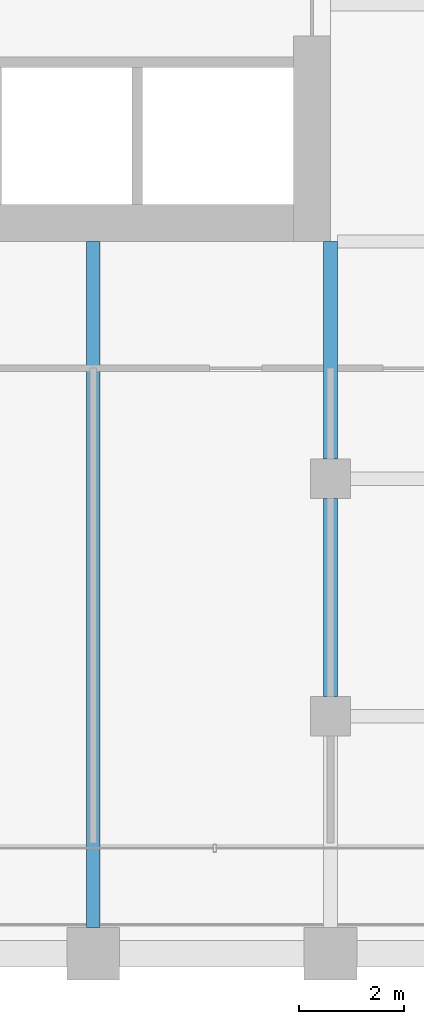
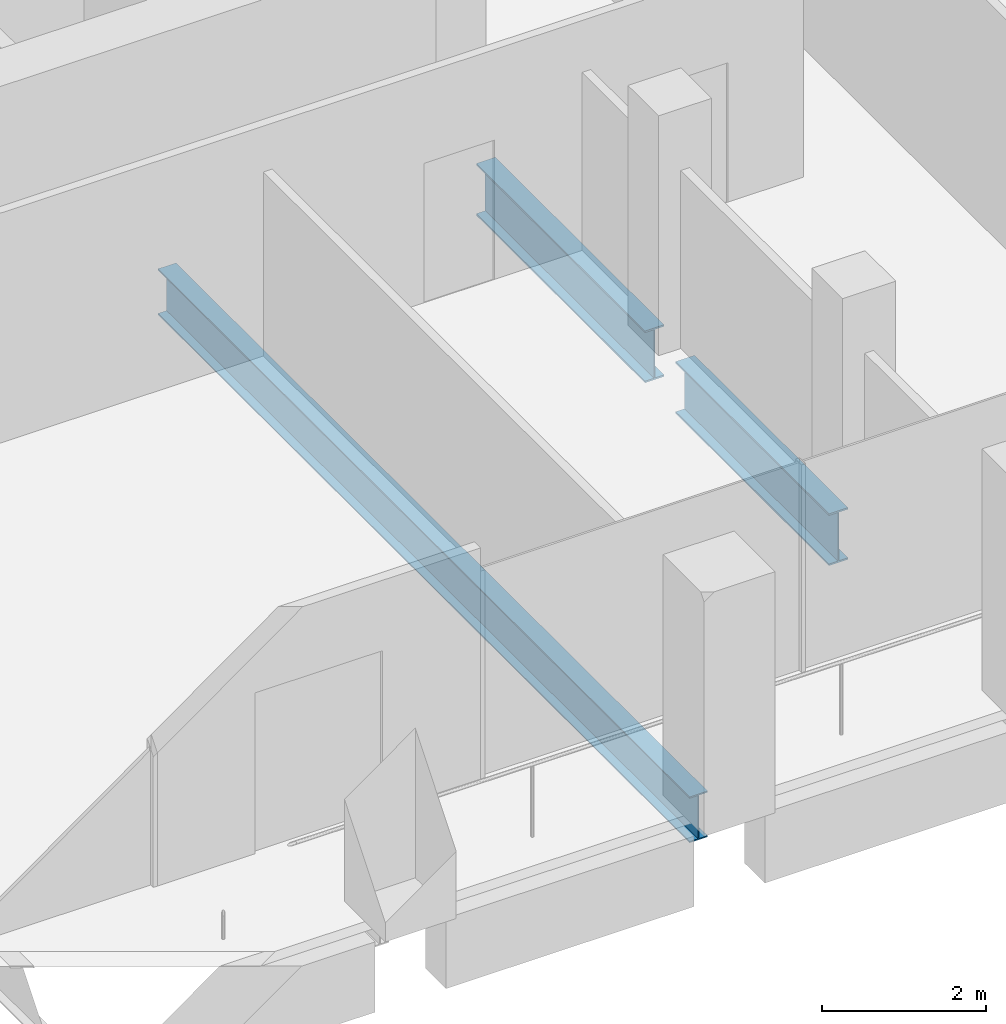
# One storey, part 10 of 46: 3 beams.
"""IFC4 building model written with IfcOpenShell, lengths in metres."""

from ifc_helpers import new_model, si_unit, direction, frame, origin, origin_2d, place, context, subcontext, project, spatial, i_section, extrude, material, material_profile, profile_set, type_object, element, save


model = new_model("IFC4")

# Units and contexts
model_context = context("Model", 3, precision=1e-05, world=origin(), true_north=direction((0.0, 1.0)))
body_context = subcontext(model_context, "Body", "Model", "MODEL_VIEW")
ifc_project = project(units=[si_unit("LENGTHUNIT", "METRE"), si_unit("AREAUNIT", "SQUARE_METRE"), si_unit("VOLUMEUNIT", "CUBIC_METRE"), si_unit("PLANEANGLEUNIT", "RADIAN"), si_unit("MASSUNIT", "GRAM", prefix="KILO")], contexts=[model_context])

# Site, building, storey
site_placement = place(None, origin())
site = spatial("IfcSite", under=ifc_project, at=site_placement, CompositionType="ELEMENT")
building_placement = place(site_placement, origin())
building = spatial("IfcBuilding", under=site, at=building_placement, Name="Altepetl Exchange Towers", CompositionType="ELEMENT")
storey_placement = place(building_placement, frame((0.0, 0.0, 124.39990234375)))
storey = spatial("IfcBuildingStorey", under=building, at=storey_placement, Name="L30", CompositionType="ELEMENT", Elevation=124.39990234375)

# Beams
ifc_material = material(Name="Steel S355", Category="steel")
ifc_material_profile_1 = material_profile(ifc_material, i_section(OverallWidth=0.25390625, OverallDepth=0.68408203125, WebThickness=0.012451171875, FlangeThickness=0.018798828125, at=origin_2d()), Name="W27X94")
ifc_profile_set_1 = profile_set([ifc_material_profile_1], Name="Steel S355")
beam_type_1 = type_object("IfcBeamType", Name="Floor beam W27X94", PredefinedType="BEAM", material=ifc_profile_set_1)
beam_1_placement = place(storey_placement, frame((54.0, 27.5, -0.491943359375), z_axis=(0.0, 1.0, 0.0), x_axis=(-1.0, 0.0, 0.0)))
element("IfcBeam", 1, at=beam_1_placement, inside=storey, type_object=beam_type_1, Name="bm:A:L30:017", PredefinedType="BEAM", context=body_context, shape_type="SweptSolid", body=[
    extrude(i_section(OverallWidth=0.25390625, OverallDepth=0.68408203125, WebThickness=0.012451171875, FlangeThickness=0.018798828125, at=origin_2d()), origin(), (0.0, 0.0, 1.0), 13.0),
])
ifc_material_profile_2 = material_profile(ifc_material, i_section(OverallWidth=0.26806640625, OverallDepth=0.77392578125, WebThickness=0.015380859375, FlangeThickness=0.025390625, at=origin_2d()), Name="W30X132")
ifc_profile_set_2 = profile_set([ifc_material_profile_2], Name="Steel S355")
beam_type_2 = type_object("IfcBeamType", Name="Girder W30X132", PredefinedType="BEAM", material=ifc_profile_set_2)
beam_2_placement = place(storey_placement, frame((58.5, 40.5, -0.536865234375), z_axis=(0.0, -1.0, 0.0), x_axis=(1.0, 0.0, 0.0)))
element("IfcBeam", 2, at=beam_2_placement, inside=storey, type_object=beam_type_2, Name="gd:A:L30:003", PredefinedType="BEAM", context=body_context, shape_type="SweptSolid", body=[
    extrude(i_section(OverallWidth=0.26806640625, OverallDepth=0.77392578125, WebThickness=0.015380859375, FlangeThickness=0.025390625, at=origin_2d()), origin(), (0.0, 0.0, 1.0), 4.125),
])
beam_3_placement = place(storey_placement, frame((58.5, 35.625, -0.536865234375), z_axis=(0.0, -1.0, 0.0), x_axis=(1.0, 0.0, 0.0)))
element("IfcBeam", 3, at=beam_3_placement, inside=storey, type_object=beam_type_2, Name="gd:A:L30:004", PredefinedType="BEAM", context=body_context, shape_type="SweptSolid", body=[
    extrude(i_section(OverallWidth=0.26806640625, OverallDepth=0.77392578125, WebThickness=0.015380859375, FlangeThickness=0.025390625, at=origin_2d()), origin(), (0.0, 0.0, 1.0), 3.75),
])

save(model, "model.ifc")
